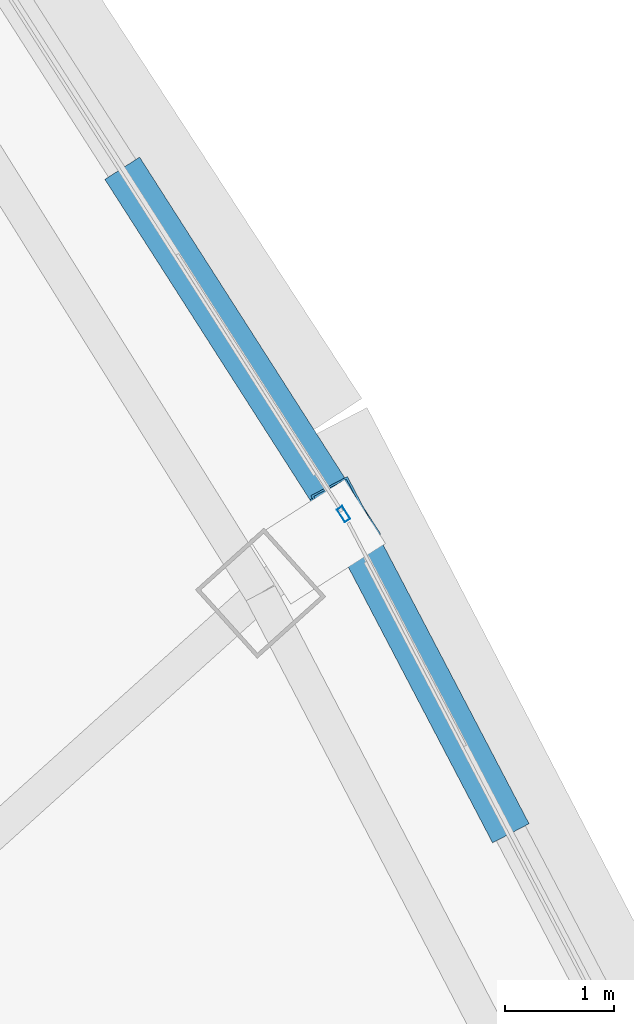
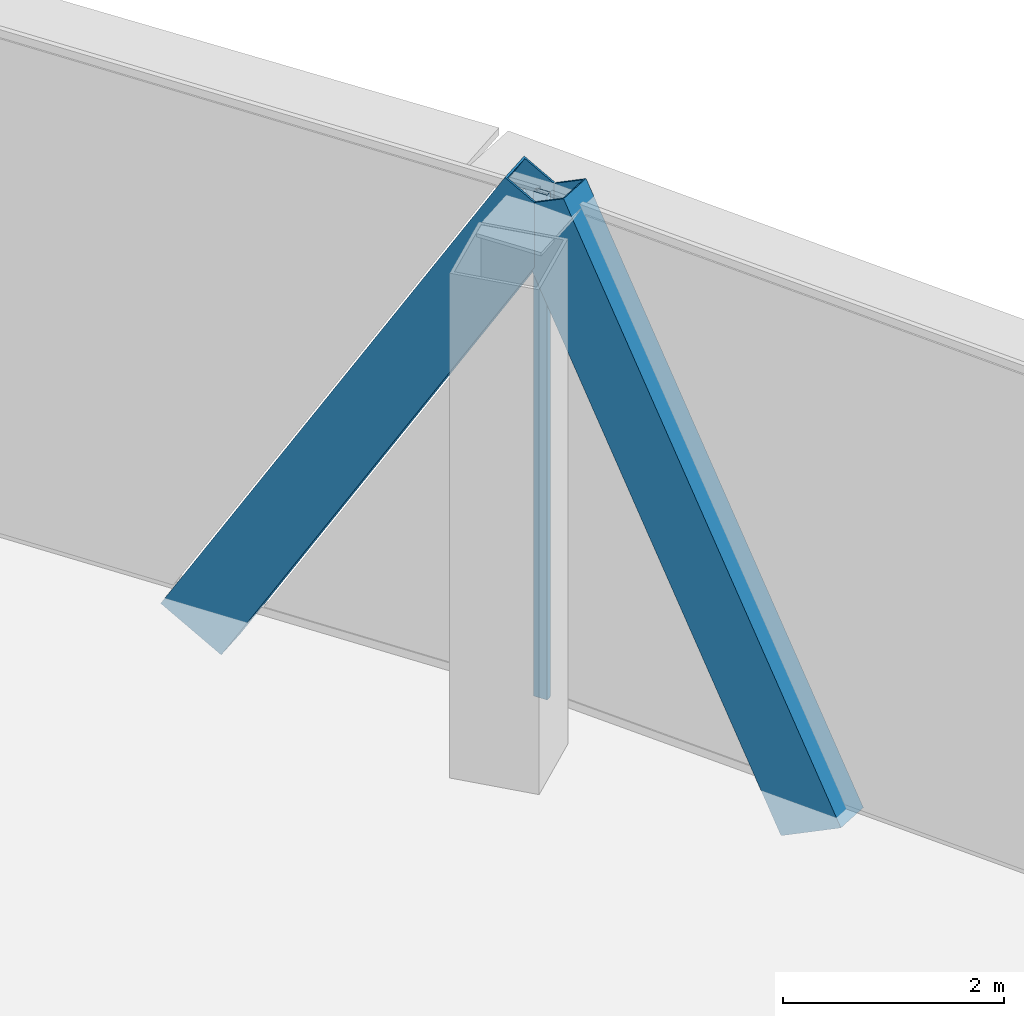
# One storey, part 24 of 38: 3 members, 1 element without a shape of its own.
"""IFC4 building model written with IfcOpenShell, lengths in metres."""

from ifc_helpers import new_model, si_unit, direction, frame, origin, origin_2d, place, context, subcontext, project, spatial, hollow_rectangle, extrude, source, transform, mapped, material, layer, layer_set, material_profile, profile_set, type_object, element, aggregate, save


model = new_model("IFC4")

# Units and contexts
model_context = context("Model", 3, precision=1e-05, world=origin(), true_north=direction((0.0, 1.0)))
body_context = subcontext(model_context, "Body", "Model", "MODEL_VIEW")
ifc_project = project(units=[si_unit("LENGTHUNIT", "METRE"), si_unit("AREAUNIT", "SQUARE_METRE"), si_unit("VOLUMEUNIT", "CUBIC_METRE"), si_unit("PLANEANGLEUNIT", "RADIAN"), si_unit("MASSUNIT", "GRAM", prefix="KILO"), si_unit("THERMODYNAMICTEMPERATUREUNIT", "KELVIN"), si_unit("POWERUNIT", "WATT")], contexts=[model_context])

# Site, building, storey
site_placement = place(None, origin())
site = spatial("IfcSite", under=ifc_project, at=site_placement, CompositionType="ELEMENT")
building_placement = place(site_placement, origin())
building = spatial("IfcBuilding", under=site, at=building_placement, Name="Yunzhuo Pagoda Commons", CompositionType="ELEMENT")
storey_placement = place(building_placement, frame((0.0, 0.0, 266.909912109375)))
storey = spatial("IfcBuildingStorey", under=building, at=storey_placement, Name="L67", CompositionType="ELEMENT", Elevation=266.909912109375)

# Members
ifc_material_1 = material(Name="Structural steel Q355B", Category="steel")
ifc_material_profile_1 = material_profile(ifc_material_1, hollow_rectangle(XDim=0.3798828125, YDim=0.719970703125, WallThickness=0.02001953125, at=origin_2d()), Name="Structural steel Q355B")
ifc_profile_set_1 = profile_set([ifc_material_profile_1], Name="Structural steel Q355B")
member_type_1 = type_object("IfcMemberType", Name="M-DL3 Brace BOX 720x380x20", PredefinedType="BRACE", material=ifc_profile_set_1)
shared_shape_1 = source(origin(), body_context, "Body", "SweptSolid", [
    extrude(hollow_rectangle(XDim=0.3798828125, YDim=0.719970703125, WallThickness=0.02001953125, at=origin_2d()), origin(), (0.0, 0.0, 1.0), 6.542724609375),
])
member_1_placement = place(storey_placement, frame((70.7685546875, 50.3310546875, -0.260009765625), z_axis=(-0.210380482132, 0.402066281478, 0.891113212805), x_axis=(-0.886035855548, -0.46361671959, 0.0)))
element("IfcMember", 1, at=member_1_placement, inside=storey, type_object=member_type_1, Name="L67 facade diamond brace F2.2R", PredefinedType="BRACE", context=body_context, shape_type="MappedRepresentation", body=[
    mapped(shared_shape_1, transform((0.0, 0.0, 0.0), scale=1.0)),
])
shared_shape_2 = source(origin(), body_context, "Body", "SweptSolid", [
    extrude(hollow_rectangle(XDim=0.3798828125, YDim=0.719970703125, WallThickness=0.02001953125, at=origin_2d()), origin(), (0.0, 0.0, 1.0), 6.802978515625),
])
member_2_placement = place(storey_placement, frame((67.5029296875, 55.914306640625, -0.260009765625), z_axis=(0.277698642432, -0.434025249622, 0.857032990428), x_axis=(0.842339699315, 0.538946964884, 0.0)))
element("IfcMember", 2, at=member_2_placement, inside=storey, type_object=member_type_1, Name="L67 facade diamond brace F2.3L", PredefinedType="BRACE", context=body_context, shape_type="MappedRepresentation", body=[
    mapped(shared_shape_2, transform((0.0, 0.0, 0.0), scale=1.0)),
])

# Curtain wall, member
ifc_material_2 = material(Name="Anodized aluminium 6063-T6", Category="aluminium")
ifc_layer = layer(ifc_material_2, 0.139892578125)
ifc_layer_set = layer_set([ifc_layer], Name="Anodized aluminium 6063-T6")
curtain_wall_type = type_object("IfcCurtainWallType", Name="CW-HI High-Zone Ribbon Curtain Wall", PredefinedType="NOTDEFINED", material=ifc_layer_set)
curtain_wall_placement = place(storey_placement, origin())
curtain_wall = element("IfcCurtainWall", 3, at=curtain_wall_placement, inside=storey, type_object=curtain_wall_type, Name="L67 curtain wall CW-L67-F2B4", PredefinedType="NOTDEFINED")
ifc_material_profile_2 = material_profile(ifc_material_2, hollow_rectangle(XDim=0.06005859375, YDim=0.139892578125, WallThickness=0.00341796875, at=origin_2d()), Name="Anodized aluminium 6063-T6")
ifc_profile_set_2 = profile_set([ifc_material_profile_2], Name="Anodized aluminium 6063-T6")
member_type_2 = type_object("IfcMemberType", Name="CW-HI-M Mullion RHS 140x60x3.5", PredefinedType="MULLION", material=ifc_profile_set_2)
shared_shape_3 = source(origin(), body_context, "Body", "SweptSolid", [
    extrude(hollow_rectangle(XDim=0.06005859375, YDim=0.139892578125, WallThickness=0.00341796875, at=origin_2d()), origin(), (0.0, 0.0, 1.0), 5.5703125),
])
member_3_placement = place(storey_placement, frame((69.3759765625, 52.9873046875, 0.0), z_axis=(0.0, 0.0, 1.0), x_axis=(-0.842255727545, -0.539078184884, 0.0)))
member_3 = element("IfcMember", 4, at=member_3_placement, type_object=member_type_2, Name="CW mullion 1", PredefinedType="MULLION", context=body_context, shape_type="MappedRepresentation", body=[
    mapped(shared_shape_3, transform((0.0, 0.0, 0.0), scale=1.0)),
])
aggregate(curtain_wall, [member_3])

save(model, "model.ifc")
